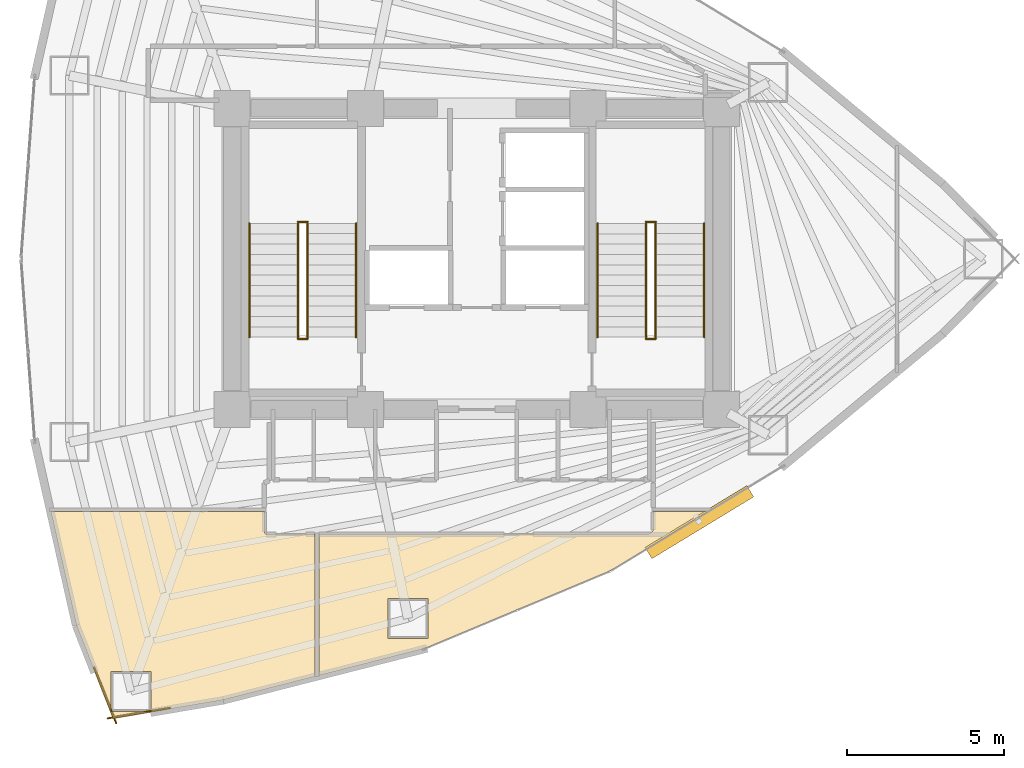
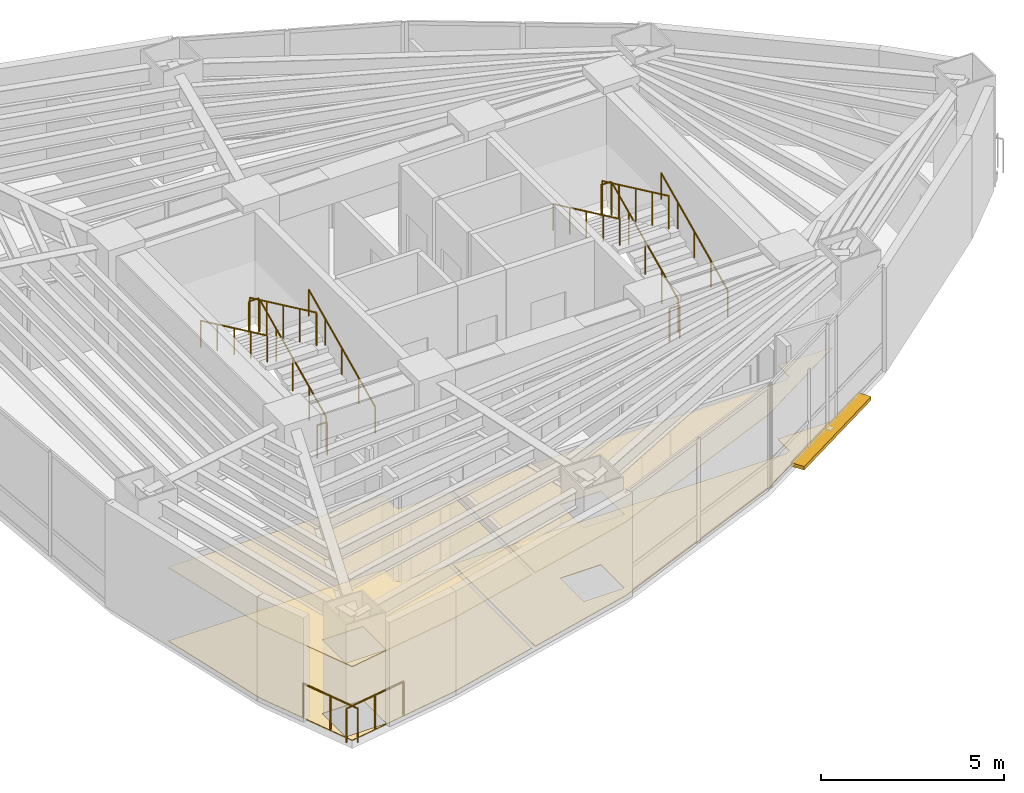
# One storey, part 17 of 18: 14 railings, 4 coverings, 1 shading device.
"""IFC4 building model written with IfcOpenShell, lengths in metres."""

from ifc_helpers import new_model, si_unit, direction, frame, origin, origin_2d, place, context, subcontext, project, spatial, polyline, rectangle, circle, outline, extrude, material, layer, layer_set, type_object, element, save


model = new_model("IFC4")

# Units and contexts
model_context = context("Model", 3, precision=1e-05, world=origin(), true_north=direction((0.0, 1.0)))
body_context = subcontext(model_context, "Body", "Model", "MODEL_VIEW")
ifc_project = project(units=[si_unit("LENGTHUNIT", "METRE"), si_unit("AREAUNIT", "SQUARE_METRE"), si_unit("VOLUMEUNIT", "CUBIC_METRE"), si_unit("PLANEANGLEUNIT", "RADIAN"), si_unit("MASSUNIT", "GRAM", prefix="KILO")], contexts=[model_context])

# Site, building, storey
site_placement = place(None, origin())
site = spatial("IfcSite", under=ifc_project, at=site_placement, CompositionType="ELEMENT")
building_placement = place(site_placement, origin())
building = spatial("IfcBuilding", under=site, at=building_placement, Name="Menara Vayukalpa", CompositionType="ELEMENT")
storey_placement = place(building_placement, frame((0.0, 0.0, 130.02001953125)))
storey = spatial("IfcBuildingStorey", under=building, at=storey_placement, Name="L32", CompositionType="ELEMENT", Elevation=130.02001953125)

# Coverings
ifc_material_1 = material(Name="Mineral Fibre Acoustic Ceiling Tile", Category="masonry")
ifc_layer_1 = layer(ifc_material_1, 0.02490234375)
ifc_layer_set_1 = layer_set([ifc_layer_1], Name="Mineral Fibre Acoustic Ceiling Tile")
covering_type_1 = type_object("IfcCoveringType", Name="COV-CLG1", PredefinedType="CEILING", material=ifc_layer_set_1)
covering_1_placement = place(storey_placement, frame((0.0, 0.0, 2.449951171875)))
element("IfcCovering", 1, at=covering_1_placement, inside=storey, type_object=covering_type_1, Name="L32 Technical Reference Library Acoustic Ceiling", PredefinedType="CEILING", context=body_context, shape_type="SweptSolid", body=[
    extrude(outline(polyline([(14.00830078125, 7.33642578125), (14.00732421875, 7.33642578125), (14.00634765625, 7.33642578125), (14.005615234375, 7.33642578125), (14.00439453125, 7.336669921875), (14.003662109375, 7.3369140625), (14.002685546875, 7.33740234375), (14.001708984375, 7.337646484375), (14.0009765625, 7.338134765625), (14.000244140625, 7.3388671875), (13.99951171875, 7.339599609375), (13.998779296875, 7.340087890625), (13.998291015625, 7.341064453125), (13.997802734375, 7.341796875), (13.997314453125, 7.3427734375), (12.831787109375, 10.310791015625), (12.83154296875, 10.3115234375), (12.831298828125, 10.312255859375), (12.017822265625, 13.927734375), (12.017578125, 13.9287109375), (12.017578125, 13.9296875), (12.017578125, 13.930908203125), (12.017822265625, 13.931884765625), (12.01806640625, 13.9326171875), (12.018310546875, 13.93359375), (12.018798828125, 13.9345703125), (12.019287109375, 13.935302734375), (12.019775390625, 13.936279296875), (12.0205078125, 13.93701171875), (12.021240234375, 13.937744140625), (12.02197265625, 13.938232421875), (12.022705078125, 13.938720703125), (12.023681640625, 13.939208984375), (12.024658203125, 13.939697265625), (12.025634765625, 13.939697265625), (12.026611328125, 13.93994140625), (12.027587890625, 13.93994140625), (18.820068359375, 13.93994140625), (18.821044921875, 13.93994140625), (18.822021484375, 13.939697265625), (18.822998046875, 13.939697265625), (18.82373046875, 13.939208984375), (18.82470703125, 13.938720703125), (18.82568359375, 13.938232421875), (18.826416015625, 13.937744140625), (18.8271484375, 13.93701171875), (18.82763671875, 13.936279296875), (18.828369140625, 13.935546875), (18.828857421875, 13.934814453125), (18.8291015625, 13.933837890625), (18.82958984375, 13.932861328125), (18.829833984375, 13.931884765625), (18.830078125, 13.930908203125), (18.830078125, 13.929931640625), (18.830078125, 13.290283203125), (18.830322265625, 13.283203125), (18.831298828125, 13.2763671875), (18.8330078125, 13.269775390625), (18.835205078125, 13.26318359375), (18.838134765625, 13.257080078125), (18.841796875, 13.251220703125), (18.845947265625, 13.24560546875), (18.8505859375, 13.240478515625), (18.85546875, 13.236083984375), (18.861083984375, 13.231689453125), (18.866943359375, 13.228271484375), (18.873291015625, 13.225341796875), (18.879638671875, 13.222900390625), (18.88623046875, 13.22119140625), (18.893310546875, 13.220458984375), (18.900390625, 13.219970703125), (20.429931640625, 13.219970703125), (20.430908203125, 13.219970703125), (20.431884765625, 13.2197265625), (20.432861328125, 13.219482421875), (20.433837890625, 13.21923828125), (20.434814453125, 13.21875), (20.435546875, 13.21826171875), (20.436279296875, 13.2177734375), (20.43701171875, 13.217041015625), (20.437744140625, 13.21630859375), (20.438232421875, 13.215576171875), (20.438720703125, 13.214599609375), (20.439208984375, 13.2138671875), (20.439697265625, 13.212890625), (20.439697265625, 13.2119140625), (20.43994140625, 13.2109375), (20.43994140625, 13.2099609375), (20.43994140625, 8.686279296875), (20.43994140625, 8.685302734375), (20.439697265625, 8.68408203125), (20.439453125, 8.68310546875), (20.439208984375, 8.68212890625), (20.438720703125, 8.681396484375), (20.438232421875, 8.680419921875), (20.4375, 8.6796875), (20.43701171875, 8.678955078125), (20.43603515625, 8.67822265625), (20.435302734375, 8.677734375), (20.434326171875, 8.67724609375), (20.433349609375, 8.6767578125), (20.4326171875, 8.676513671875), (17.5087890625, 7.930908203125), (17.5078125, 7.9306640625), (14.00830078125, 7.33642578125)]), holes=[polyline([(15.208984375, 8.842529296875), (13.92919921875, 8.842529296875), (13.92919921875, 7.5625), (15.208984375, 7.5625), (15.208984375, 8.842529296875)])]), origin(), (0.0, 0.0, 1.0), 0.025146484375),
])
covering_2_placement = place(storey_placement, frame((0.0, 0.0, 2.449951171875)))
element("IfcCovering", 2, at=covering_2_placement, inside=storey, type_object=covering_type_1, Name="L32 Technical Reference Library Acoustic Ceiling", PredefinedType="CEILING", context=body_context, shape_type="SweptSolid", body=[
    extrude(outline(polyline([(29.860595703125, 12.053466796875), (23.90478515625, 9.562255859375), (23.903564453125, 9.561767578125), (20.572509765625, 8.712158203125), (20.571533203125, 8.7119140625), (20.570556640625, 8.7119140625), (20.569580078125, 8.7119140625), (20.568603515625, 8.7119140625), (20.567626953125, 8.712158203125), (20.56689453125, 8.71240234375), (20.56591796875, 8.712890625), (20.565185546875, 8.713134765625), (20.564208984375, 8.713623046875), (20.5634765625, 8.71435546875), (20.562744140625, 8.715087890625), (20.562255859375, 8.7158203125), (20.5615234375, 8.716552734375), (20.56103515625, 8.71728515625), (20.560791015625, 8.71826171875), (20.560302734375, 8.718994140625), (20.560302734375, 8.719970703125), (20.56005859375, 8.720947265625), (20.56005859375, 8.721923828125), (20.56005859375, 13.2099609375), (20.56005859375, 13.2109375), (20.560302734375, 13.2119140625), (20.560302734375, 13.212890625), (20.560791015625, 13.2138671875), (20.561279296875, 13.214599609375), (20.561767578125, 13.215576171875), (20.562255859375, 13.21630859375), (20.56298828125, 13.217041015625), (20.563720703125, 13.2177734375), (20.564453125, 13.21826171875), (20.565185546875, 13.21875), (20.566162109375, 13.21923828125), (20.567138671875, 13.219482421875), (20.568115234375, 13.2197265625), (20.569091796875, 13.219970703125), (20.570068359375, 13.219970703125), (31.048828125, 13.219970703125), (31.055419921875, 13.22021484375), (31.0615234375, 13.22119140625), (31.06787109375, 13.22265625), (31.073974609375, 13.224609375), (31.079833984375, 13.22705078125), (31.085693359375, 13.230224609375), (31.186279296875, 13.29150390625), (31.192138671875, 13.295654296875), (31.19775390625, 13.30029296875), (31.202880859375, 13.305419921875), (31.207275390625, 13.31103515625), (31.2109375, 13.317138671875), (31.214111328125, 13.323486328125), (31.216796875, 13.330078125), (31.218505859375, 13.337158203125), (31.219482421875, 13.34423828125), (31.219970703125, 13.3515625), (31.219970703125, 13.929931640625), (31.219970703125, 13.930908203125), (31.22021484375, 13.931884765625), (31.220458984375, 13.932861328125), (31.220703125, 13.933837890625), (31.22119140625, 13.934814453125), (31.2216796875, 13.935546875), (31.222412109375, 13.936279296875), (31.222900390625, 13.93701171875), (31.2236328125, 13.937744140625), (31.224365234375, 13.938232421875), (31.225341796875, 13.938720703125), (31.226318359375, 13.939208984375), (31.22705078125, 13.939697265625), (31.22802734375, 13.939697265625), (31.22900390625, 13.93994140625), (31.22998046875, 13.93994140625), (32.9306640625, 13.93994140625), (32.931640625, 13.93994140625), (32.9326171875, 13.939697265625), (32.93359375, 13.939697265625), (32.9345703125, 13.939208984375), (32.935546875, 13.938720703125), (32.936279296875, 13.938232421875), (32.93701171875, 13.937744140625), (32.93798828125, 13.93701171875), (32.9384765625, 13.936279296875), (32.939208984375, 13.935302734375), (32.939697265625, 13.9345703125), (32.93994140625, 13.93359375), (32.940185546875, 13.9326171875), (32.940673828125, 13.931640625), (32.940673828125, 13.9306640625), (32.940673828125, 13.9296875), (32.940673828125, 13.9287109375), (32.9404296875, 13.927734375), (32.940185546875, 13.9267578125), (32.939697265625, 13.92578125), (32.939208984375, 13.925048828125), (32.938720703125, 13.924072265625), (32.938232421875, 13.92333984375), (32.9375, 13.922607421875), (32.936767578125, 13.922119140625), (32.935791015625, 13.92138671875), (29.862060546875, 12.05419921875), (29.861328125, 12.0537109375), (29.860595703125, 12.053466796875)]), holes=[polyline([(24.048095703125, 11.172607421875), (22.768310546875, 11.172607421875), (22.768310546875, 9.892578125), (24.048095703125, 9.892578125), (24.048095703125, 11.172607421875)])]), origin(), (0.0, 0.0, 1.0), 0.025146484375),
])
ifc_material_2 = material(Name="Porcelain Stoneware Floor Tile", Category="masonry")
ifc_layer_2 = layer(ifc_material_2, 0.02001953125)
ifc_layer_set_2 = layer_set([ifc_layer_2], Name="Porcelain Stoneware Floor Tile")
covering_type_2 = type_object("IfcCoveringType", Name="COV-FLR1", PredefinedType="FLOORING", material=ifc_layer_set_2)
covering_3_placement = place(storey_placement, origin())
element("IfcCovering", 3, at=covering_3_placement, inside=storey, type_object=covering_type_2, Name="L32 Technical Reference Library Porcelain Flooring", PredefinedType="FLOORING", context=body_context, shape_type="SweptSolid", body=[
    extrude(outline(polyline([(14.00830078125, 7.33642578125), (14.00732421875, 7.33642578125), (14.00634765625, 7.33642578125), (14.005615234375, 7.33642578125), (14.00439453125, 7.336669921875), (14.003662109375, 7.3369140625), (14.002685546875, 7.33740234375), (14.001708984375, 7.337646484375), (14.0009765625, 7.338134765625), (14.000244140625, 7.3388671875), (13.99951171875, 7.339599609375), (13.998779296875, 7.340087890625), (13.998291015625, 7.341064453125), (13.997802734375, 7.341796875), (13.997314453125, 7.3427734375), (12.831787109375, 10.310791015625), (12.83154296875, 10.3115234375), (12.831298828125, 10.312255859375), (12.017822265625, 13.927734375), (12.017578125, 13.9287109375), (12.017578125, 13.9296875), (12.017578125, 13.930908203125), (12.017822265625, 13.931884765625), (12.01806640625, 13.9326171875), (12.018310546875, 13.93359375), (12.018798828125, 13.9345703125), (12.019287109375, 13.935302734375), (12.019775390625, 13.936279296875), (12.0205078125, 13.93701171875), (12.021240234375, 13.937744140625), (12.02197265625, 13.938232421875), (12.022705078125, 13.938720703125), (12.023681640625, 13.939208984375), (12.024658203125, 13.939697265625), (12.025634765625, 13.939697265625), (12.026611328125, 13.93994140625), (12.027587890625, 13.93994140625), (18.820068359375, 13.93994140625), (18.821044921875, 13.93994140625), (18.822021484375, 13.939697265625), (18.822998046875, 13.939697265625), (18.82373046875, 13.939208984375), (18.82470703125, 13.938720703125), (18.82568359375, 13.938232421875), (18.826416015625, 13.937744140625), (18.8271484375, 13.93701171875), (18.82763671875, 13.936279296875), (18.828369140625, 13.935546875), (18.828857421875, 13.934814453125), (18.8291015625, 13.933837890625), (18.82958984375, 13.932861328125), (18.829833984375, 13.931884765625), (18.830078125, 13.930908203125), (18.830078125, 13.929931640625), (18.830078125, 13.290283203125), (18.830322265625, 13.283203125), (18.831298828125, 13.2763671875), (18.8330078125, 13.269775390625), (18.835205078125, 13.26318359375), (18.838134765625, 13.257080078125), (18.841796875, 13.251220703125), (18.845947265625, 13.24560546875), (18.8505859375, 13.240478515625), (18.85546875, 13.236083984375), (18.861083984375, 13.231689453125), (18.866943359375, 13.228271484375), (18.873291015625, 13.225341796875), (18.879638671875, 13.222900390625), (18.88623046875, 13.22119140625), (18.893310546875, 13.220458984375), (18.900390625, 13.219970703125), (20.429931640625, 13.219970703125), (20.430908203125, 13.219970703125), (20.431884765625, 13.2197265625), (20.432861328125, 13.219482421875), (20.433837890625, 13.21923828125), (20.434814453125, 13.21875), (20.435546875, 13.21826171875), (20.436279296875, 13.2177734375), (20.43701171875, 13.217041015625), (20.437744140625, 13.21630859375), (20.438232421875, 13.215576171875), (20.438720703125, 13.214599609375), (20.439208984375, 13.2138671875), (20.439697265625, 13.212890625), (20.439697265625, 13.2119140625), (20.43994140625, 13.2109375), (20.43994140625, 13.2099609375), (20.43994140625, 8.686279296875), (20.43994140625, 8.685302734375), (20.439697265625, 8.68408203125), (20.439453125, 8.68310546875), (20.439208984375, 8.68212890625), (20.438720703125, 8.681396484375), (20.438232421875, 8.680419921875), (20.4375, 8.6796875), (20.43701171875, 8.678955078125), (20.43603515625, 8.67822265625), (20.435302734375, 8.677734375), (20.434326171875, 8.67724609375), (20.433349609375, 8.6767578125), (20.4326171875, 8.676513671875), (17.5087890625, 7.930908203125), (17.5078125, 7.9306640625), (14.00830078125, 7.33642578125)]), holes=[polyline([(15.208984375, 8.842529296875), (13.92919921875, 8.842529296875), (13.92919921875, 7.5625), (15.208984375, 7.5625), (15.208984375, 8.842529296875)])]), origin(), (0.0, 0.0, 1.0), 0.02001953125),
])
covering_4_placement = place(storey_placement, origin())
element("IfcCovering", 4, at=covering_4_placement, inside=storey, type_object=covering_type_2, Name="L32 Technical Reference Library Porcelain Flooring", PredefinedType="FLOORING", context=body_context, shape_type="SweptSolid", body=[
    extrude(outline(polyline([(29.860595703125, 12.053466796875), (23.90478515625, 9.562255859375), (23.903564453125, 9.561767578125), (20.572509765625, 8.712158203125), (20.571533203125, 8.7119140625), (20.570556640625, 8.7119140625), (20.569580078125, 8.7119140625), (20.568603515625, 8.7119140625), (20.567626953125, 8.712158203125), (20.56689453125, 8.71240234375), (20.56591796875, 8.712890625), (20.565185546875, 8.713134765625), (20.564208984375, 8.713623046875), (20.5634765625, 8.71435546875), (20.562744140625, 8.715087890625), (20.562255859375, 8.7158203125), (20.5615234375, 8.716552734375), (20.56103515625, 8.71728515625), (20.560791015625, 8.71826171875), (20.560302734375, 8.718994140625), (20.560302734375, 8.719970703125), (20.56005859375, 8.720947265625), (20.56005859375, 8.721923828125), (20.56005859375, 13.2099609375), (20.56005859375, 13.2109375), (20.560302734375, 13.2119140625), (20.560302734375, 13.212890625), (20.560791015625, 13.2138671875), (20.561279296875, 13.214599609375), (20.561767578125, 13.215576171875), (20.562255859375, 13.21630859375), (20.56298828125, 13.217041015625), (20.563720703125, 13.2177734375), (20.564453125, 13.21826171875), (20.565185546875, 13.21875), (20.566162109375, 13.21923828125), (20.567138671875, 13.219482421875), (20.568115234375, 13.2197265625), (20.569091796875, 13.219970703125), (20.570068359375, 13.219970703125), (31.048828125, 13.219970703125), (31.055419921875, 13.22021484375), (31.0615234375, 13.22119140625), (31.06787109375, 13.22265625), (31.073974609375, 13.224609375), (31.079833984375, 13.22705078125), (31.085693359375, 13.230224609375), (31.186279296875, 13.29150390625), (31.192138671875, 13.295654296875), (31.19775390625, 13.30029296875), (31.202880859375, 13.305419921875), (31.207275390625, 13.31103515625), (31.2109375, 13.317138671875), (31.214111328125, 13.323486328125), (31.216796875, 13.330078125), (31.218505859375, 13.337158203125), (31.219482421875, 13.34423828125), (31.219970703125, 13.3515625), (31.219970703125, 13.929931640625), (31.219970703125, 13.930908203125), (31.22021484375, 13.931884765625), (31.220458984375, 13.932861328125), (31.220703125, 13.933837890625), (31.22119140625, 13.934814453125), (31.2216796875, 13.935546875), (31.222412109375, 13.936279296875), (31.222900390625, 13.93701171875), (31.2236328125, 13.937744140625), (31.224365234375, 13.938232421875), (31.225341796875, 13.938720703125), (31.226318359375, 13.939208984375), (31.22705078125, 13.939697265625), (31.22802734375, 13.939697265625), (31.22900390625, 13.93994140625), (31.22998046875, 13.93994140625), (32.9306640625, 13.93994140625), (32.931640625, 13.93994140625), (32.9326171875, 13.939697265625), (32.93359375, 13.939697265625), (32.9345703125, 13.939208984375), (32.935546875, 13.938720703125), (32.936279296875, 13.938232421875), (32.93701171875, 13.937744140625), (32.93798828125, 13.93701171875), (32.9384765625, 13.936279296875), (32.939208984375, 13.935302734375), (32.939697265625, 13.9345703125), (32.93994140625, 13.93359375), (32.940185546875, 13.9326171875), (32.940673828125, 13.931640625), (32.940673828125, 13.9306640625), (32.940673828125, 13.9296875), (32.940673828125, 13.9287109375), (32.9404296875, 13.927734375), (32.940185546875, 13.9267578125), (32.939697265625, 13.92578125), (32.939208984375, 13.925048828125), (32.938720703125, 13.924072265625), (32.938232421875, 13.92333984375), (32.9375, 13.922607421875), (32.936767578125, 13.922119140625), (32.935791015625, 13.92138671875), (29.862060546875, 12.05419921875), (29.861328125, 12.0537109375), (29.860595703125, 12.053466796875)]), holes=[polyline([(24.048095703125, 11.172607421875), (22.768310546875, 11.172607421875), (22.768310546875, 9.892578125), (24.048095703125, 9.892578125), (24.048095703125, 11.172607421875)])]), origin(), (0.0, 0.0, 1.0), 0.02001953125),
])

# Railings
ifc_material_3 = material(Name="Laminated Glass and Stainless Steel 316 Guardrail", Category="steel")
railing_type_1 = type_object("IfcRailingType", Name="RLG-EXT115", PredefinedType="GUARDRAIL", material=ifc_material_3)
railing_1_placement = place(storey_placement, frame((13.39990234375, 8.9736328125, 0.0)))
element("IfcRailing", 5, at=railing_1_placement, inside=storey, type_object=railing_type_1, Name="L32 Column Corner Spandrel Guardrail 13-1", PredefinedType="GUARDRAIL", context=body_context, shape_type="SweptSolid", body=[
    extrude(circle(Radius=0.02392578125, at=origin_2d()), frame((0.0, 0.0, 1.1259765625), z_axis=(0.365573386764, -0.930782519652, 0.0), x_axis=(0.930782519652, 0.365573386764, 0.0)), (0.0, 0.0, 1.0), 1.91259765625),
    extrude(circle(Radius=0.02099609375, at=origin_2d()), origin(), (0.0, 0.0, 1.0), 1.101806640625),
    extrude(circle(Radius=0.02099609375, at=origin_2d()), frame((0.349609375, -0.89013671875, 0.0)), (0.0, 0.0, 1.0), 1.101806640625),
    extrude(circle(Radius=0.02099609375, at=origin_2d()), frame((0.69921875, -1.7802734375, 0.0)), (0.0, 0.0, 1.0), 1.101806640625),
])
railing_2_placement = place(storey_placement, frame((13.827880859375, 7.346435546875, 0.0)))
element("IfcRailing", 6, at=railing_2_placement, inside=storey, type_object=railing_type_1, Name="L32 Column Corner Spandrel Guardrail 14-1", PredefinedType="GUARDRAIL", context=body_context, shape_type="SweptSolid", body=[
    extrude(circle(Radius=0.02392578125, at=origin_2d()), frame((0.0, 0.0, 1.1259765625), z_axis=(0.985895977605, 0.16735925831, 0.0), x_axis=(-0.16735925831, 0.985895977605, 0.0)), (0.0, 0.0, 1.0), 2.01904296875),
    extrude(circle(Radius=0.02099609375, at=origin_2d()), origin(), (0.0, 0.0, 1.0), 1.101806640625),
    extrude(circle(Radius=0.02099609375, at=origin_2d()), frame((0.9951171875, 0.1689453125, 0.0)), (0.0, 0.0, 1.0), 1.101806640625),
    extrude(circle(Radius=0.02099609375, at=origin_2d()), frame((1.990478515625, 0.337890625, 0.0)), (0.0, 0.0, 1.0), 1.101806640625),
])
ifc_material_4 = material(Name="Powder-Coated Galvanised Steel Guardrail", Category="steel")
railing_type_2 = type_object("IfcRailingType", Name="RLG-STG110", PredefinedType="GUARDRAIL", material=ifc_material_4)
railing_3_placement = place(storey_placement, frame((20.199951171875, 19.5, 0.155029296875)))
element("IfcRailing", 7, at=railing_3_placement, inside=storey, type_object=railing_type_2, Name="L32 ST-1 stair guard 1", PredefinedType="GUARDRAIL", context=body_context, shape_type="SweptSolid", body=[
    extrude(circle(Radius=0.02392578125, at=origin_2d()), frame((0.0, 0.0, 1.09619140625), z_axis=(0.0, 0.90513990983, 0.425113800803), x_axis=(-1.0, 0.0, 0.0)), (0.0, 0.0, 1.0), 4.01025390625),
    extrude(circle(Radius=0.02099609375, at=origin_2d()), origin(), (0.0, 0.0, 1.0), 1.072021484375),
    extrude(circle(Radius=0.02099609375, at=origin_2d()), frame((0.0, 0.907470703125, 0.42626953125)), (0.0, 0.0, 1.0), 1.072021484375),
    extrude(circle(Radius=0.02099609375, at=origin_2d()), frame((0.0, 1.81494140625, 0.8525390625)), (0.0, 0.0, 1.0), 1.072021484375),
    extrude(circle(Radius=0.02099609375, at=origin_2d()), frame((0.0, 2.722412109375, 1.278564453125)), (0.0, 0.0, 1.0), 1.072021484375),
    extrude(circle(Radius=0.02099609375, at=origin_2d()), frame((0.0, 3.6298828125, 1.704833984375)), (0.0, 0.0, 1.0), 1.072021484375),
])
railing_4_placement = place(storey_placement, frame((20.2099609375, 23.179931640625, 1.85986328125)))
element("IfcRailing", 8, at=railing_4_placement, inside=storey, type_object=railing_type_2, Name="L32 ST-1 stair guard 2", PredefinedType="GUARDRAIL", context=body_context, shape_type="SweptSolid", body=[
    extrude(circle(Radius=0.02392578125, at=origin_2d()), frame((0.0, 0.0, 1.09619140625), z_axis=(-1.0, 0.0, 0.0), x_axis=(0.0, -1.0, 0.0)), (0.0, 0.0, 1.0), 0.320068359375),
    extrude(circle(Radius=0.02099609375, at=origin_2d()), origin(), (0.0, 0.0, 1.0), 1.072021484375),
    extrude(circle(Radius=0.02099609375, at=origin_2d()), frame((-0.320068359375, 0.0, 0.0)), (0.0, 0.0, 1.0), 1.072021484375),
])
railing_5_placement = place(storey_placement, frame((19.89990234375, 23.1298828125, 2.014892578125)))
element("IfcRailing", 9, at=railing_5_placement, inside=storey, type_object=railing_type_2, Name="L32 ST-1 stair guard 3", PredefinedType="GUARDRAIL", context=body_context, shape_type="SweptSolid", body=[
    extrude(circle(Radius=0.02392578125, at=origin_2d()), frame((0.0, 0.0, 1.09619140625), z_axis=(0.0, -0.90511648382, 0.425163675209), x_axis=(1.0, 0.0, 0.0)), (0.0, 0.0, 1.0), 4.010498046875),
    extrude(circle(Radius=0.02099609375, at=origin_2d()), origin(), (0.0, 0.0, 1.0), 1.072021484375),
    extrude(circle(Radius=0.02099609375, at=origin_2d()), frame((0.0, -0.907470703125, 0.42626953125)), (0.0, 0.0, 1.0), 1.072021484375),
    extrude(circle(Radius=0.02099609375, at=origin_2d()), frame((0.0, -1.81494140625, 0.8525390625)), (0.0, 0.0, 1.0), 1.072021484375),
    extrude(circle(Radius=0.02099609375, at=origin_2d()), frame((0.0, -2.722412109375, 1.27880859375)), (0.0, 0.0, 1.0), 1.072021484375),
    extrude(circle(Radius=0.02099609375, at=origin_2d()), frame((0.0, -3.6298828125, 1.705078125)), (0.0, 0.0, 1.0), 1.072021484375),
])
railing_6_placement = place(storey_placement, frame((20.2099609375, 19.449951171875, 0.0)))
element("IfcRailing", 10, at=railing_6_placement, inside=storey, type_object=railing_type_2, Name="L32 ST-1 stair guard 4", PredefinedType="GUARDRAIL", context=body_context, shape_type="SweptSolid", body=[
    extrude(circle(Radius=0.02392578125, at=origin_2d()), frame((0.0, 0.0, 1.09619140625), z_axis=(-1.0, 0.0, 0.0), x_axis=(0.0, -1.0, 0.0)), (0.0, 0.0, 1.0), 0.320068359375),
    extrude(circle(Radius=0.02099609375, at=origin_2d()), origin(), (0.0, 0.0, 1.0), 1.072021484375),
    extrude(circle(Radius=0.02099609375, at=origin_2d()), frame((-0.320068359375, 0.0, 0.0)), (0.0, 0.0, 1.0), 1.072021484375),
])
railing_7_placement = place(storey_placement, frame((31.300048828125, 19.5, 0.155029296875)))
element("IfcRailing", 11, at=railing_7_placement, inside=storey, type_object=railing_type_2, Name="L32 ST-2 stair guard 1", PredefinedType="GUARDRAIL", context=body_context, shape_type="SweptSolid", body=[
    extrude(circle(Radius=0.02392578125, at=origin_2d()), frame((0.0, 0.0, 1.09619140625), z_axis=(0.0, 0.90513990983, 0.425113800803), x_axis=(-1.0, 0.0, 0.0)), (0.0, 0.0, 1.0), 4.01025390625),
    extrude(circle(Radius=0.02099609375, at=origin_2d()), origin(), (0.0, 0.0, 1.0), 1.072021484375),
    extrude(circle(Radius=0.02099609375, at=origin_2d()), frame((0.0, 0.907470703125, 0.42626953125)), (0.0, 0.0, 1.0), 1.072021484375),
    extrude(circle(Radius=0.02099609375, at=origin_2d()), frame((0.0, 1.81494140625, 0.8525390625)), (0.0, 0.0, 1.0), 1.072021484375),
    extrude(circle(Radius=0.02099609375, at=origin_2d()), frame((0.0, 2.722412109375, 1.278564453125)), (0.0, 0.0, 1.0), 1.072021484375),
    extrude(circle(Radius=0.02099609375, at=origin_2d()), frame((0.0, 3.6298828125, 1.704833984375)), (0.0, 0.0, 1.0), 1.072021484375),
])
railing_8_placement = place(storey_placement, frame((31.31005859375, 23.179931640625, 1.85986328125)))
element("IfcRailing", 12, at=railing_8_placement, inside=storey, type_object=railing_type_2, Name="L32 ST-2 stair guard 2", PredefinedType="GUARDRAIL", context=body_context, shape_type="SweptSolid", body=[
    extrude(circle(Radius=0.02392578125, at=origin_2d()), frame((0.0, 0.0, 1.09619140625), z_axis=(-1.0, 0.0, 0.0), x_axis=(0.0, -1.0, 0.0)), (0.0, 0.0, 1.0), 0.320068359375),
    extrude(circle(Radius=0.02099609375, at=origin_2d()), origin(), (0.0, 0.0, 1.0), 1.072021484375),
    extrude(circle(Radius=0.02099609375, at=origin_2d()), frame((-0.320068359375, 0.0, 0.0)), (0.0, 0.0, 1.0), 1.072021484375),
])
railing_9_placement = place(storey_placement, frame((31.0, 23.1298828125, 2.014892578125)))
element("IfcRailing", 13, at=railing_9_placement, inside=storey, type_object=railing_type_2, Name="L32 ST-2 stair guard 3", PredefinedType="GUARDRAIL", context=body_context, shape_type="SweptSolid", body=[
    extrude(circle(Radius=0.02392578125, at=origin_2d()), frame((0.0, 0.0, 1.09619140625), z_axis=(0.0, -0.90511648382, 0.425163675209), x_axis=(1.0, 0.0, 0.0)), (0.0, 0.0, 1.0), 4.010498046875),
    extrude(circle(Radius=0.02099609375, at=origin_2d()), origin(), (0.0, 0.0, 1.0), 1.072021484375),
    extrude(circle(Radius=0.02099609375, at=origin_2d()), frame((0.0, -0.907470703125, 0.42626953125)), (0.0, 0.0, 1.0), 1.072021484375),
    extrude(circle(Radius=0.02099609375, at=origin_2d()), frame((0.0, -1.81494140625, 0.8525390625)), (0.0, 0.0, 1.0), 1.072021484375),
    extrude(circle(Radius=0.02099609375, at=origin_2d()), frame((0.0, -2.722412109375, 1.27880859375)), (0.0, 0.0, 1.0), 1.072021484375),
    extrude(circle(Radius=0.02099609375, at=origin_2d()), frame((0.0, -3.6298828125, 1.705078125)), (0.0, 0.0, 1.0), 1.072021484375),
])
railing_10_placement = place(storey_placement, frame((31.31005859375, 19.449951171875, 0.0)))
element("IfcRailing", 14, at=railing_10_placement, inside=storey, type_object=railing_type_2, Name="L32 ST-2 stair guard 4", PredefinedType="GUARDRAIL", context=body_context, shape_type="SweptSolid", body=[
    extrude(circle(Radius=0.02392578125, at=origin_2d()), frame((0.0, 0.0, 1.09619140625), z_axis=(-1.0, 0.0, 0.0), x_axis=(0.0, -1.0, 0.0)), (0.0, 0.0, 1.0), 0.320068359375),
    extrude(circle(Radius=0.02099609375, at=origin_2d()), origin(), (0.0, 0.0, 1.0), 1.072021484375),
    extrude(circle(Radius=0.02099609375, at=origin_2d()), frame((-0.320068359375, 0.0, 0.0)), (0.0, 0.0, 1.0), 1.072021484375),
])
ifc_material_5 = material(Name="Stainless Steel 316 Tubular Handrail", Category="steel")
railing_type_3 = type_object("IfcRailingType", Name="RLG-STH090", PredefinedType="HANDRAIL", material=ifc_material_5)
railing_11_placement = place(storey_placement, frame((21.75, 19.5, 0.155029296875)))
element("IfcRailing", 15, at=railing_11_placement, inside=storey, type_object=railing_type_3, Name="L32 ST-1 stair handrail 1", PredefinedType="HANDRAIL", context=body_context, shape_type="SweptSolid", body=[
    extrude(circle(Radius=0.02392578125, at=origin_2d()), frame((0.0, 0.0, 0.8759765625), z_axis=(0.0, 0.90513990983, 0.425113800803), x_axis=(-1.0, 0.0, 0.0)), (0.0, 0.0, 1.0), 4.01025390625),
    extrude(circle(Radius=0.02099609375, at=origin_2d()), origin(), (0.0, 0.0, 1.0), 0.851806640625),
    extrude(circle(Radius=0.02099609375, at=origin_2d()), frame((0.0, 0.907470703125, 0.42626953125)), (0.0, 0.0, 1.0), 0.851806640625),
    extrude(circle(Radius=0.02099609375, at=origin_2d()), frame((0.0, 1.81494140625, 0.8525390625)), (0.0, 0.0, 1.0), 0.851806640625),
    extrude(circle(Radius=0.02099609375, at=origin_2d()), frame((0.0, 2.722412109375, 1.278564453125)), (0.0, 0.0, 1.0), 0.851806640625),
    extrude(circle(Radius=0.02099609375, at=origin_2d()), frame((0.0, 3.6298828125, 1.704833984375)), (0.0, 0.0, 1.0), 0.851806640625),
])
railing_12_placement = place(storey_placement, frame((18.35009765625, 23.1298828125, 2.014892578125)))
element("IfcRailing", 16, at=railing_12_placement, inside=storey, type_object=railing_type_3, Name="L32 ST-1 stair handrail 2", PredefinedType="HANDRAIL", context=body_context, shape_type="SweptSolid", body=[
    extrude(circle(Radius=0.02392578125, at=origin_2d()), frame((0.0, 0.0, 0.8759765625), z_axis=(0.0, -0.90511648382, 0.425163675209), x_axis=(1.0, 0.0, 0.0)), (0.0, 0.0, 1.0), 4.010498046875),
    extrude(circle(Radius=0.02099609375, at=origin_2d()), origin(), (0.0, 0.0, 1.0), 0.851806640625),
    extrude(circle(Radius=0.02099609375, at=origin_2d()), frame((0.0, -0.907470703125, 0.42626953125)), (0.0, 0.0, 1.0), 0.851806640625),
    extrude(circle(Radius=0.02099609375, at=origin_2d()), frame((0.0, -1.81494140625, 0.8525390625)), (0.0, 0.0, 1.0), 0.851806640625),
    extrude(circle(Radius=0.02099609375, at=origin_2d()), frame((0.0, -2.722412109375, 1.27880859375)), (0.0, 0.0, 1.0), 0.851806640625),
    extrude(circle(Radius=0.02099609375, at=origin_2d()), frame((0.0, -3.6298828125, 1.705078125)), (0.0, 0.0, 1.0), 0.851806640625),
])
railing_13_placement = place(storey_placement, frame((32.85009765625, 19.5, 0.155029296875)))
element("IfcRailing", 17, at=railing_13_placement, inside=storey, type_object=railing_type_3, Name="L32 ST-2 stair handrail 1", PredefinedType="HANDRAIL", context=body_context, shape_type="SweptSolid", body=[
    extrude(circle(Radius=0.02392578125, at=origin_2d()), frame((0.0, 0.0, 0.8759765625), z_axis=(0.0, 0.90513990983, 0.425113800803), x_axis=(-1.0, 0.0, 0.0)), (0.0, 0.0, 1.0), 4.01025390625),
    extrude(circle(Radius=0.02099609375, at=origin_2d()), origin(), (0.0, 0.0, 1.0), 0.851806640625),
    extrude(circle(Radius=0.02099609375, at=origin_2d()), frame((0.0, 0.907470703125, 0.42626953125)), (0.0, 0.0, 1.0), 0.851806640625),
    extrude(circle(Radius=0.02099609375, at=origin_2d()), frame((0.0, 1.81494140625, 0.8525390625)), (0.0, 0.0, 1.0), 0.851806640625),
    extrude(circle(Radius=0.02099609375, at=origin_2d()), frame((0.0, 2.722412109375, 1.278564453125)), (0.0, 0.0, 1.0), 0.851806640625),
    extrude(circle(Radius=0.02099609375, at=origin_2d()), frame((0.0, 3.6298828125, 1.704833984375)), (0.0, 0.0, 1.0), 0.851806640625),
])
railing_14_placement = place(storey_placement, frame((29.449951171875, 23.1298828125, 2.014892578125)))
element("IfcRailing", 18, at=railing_14_placement, inside=storey, type_object=railing_type_3, Name="L32 ST-2 stair handrail 2", PredefinedType="HANDRAIL", context=body_context, shape_type="SweptSolid", body=[
    extrude(circle(Radius=0.02392578125, at=origin_2d()), frame((0.0, 0.0, 0.8759765625), z_axis=(0.0, -0.90511648382, 0.425163675209), x_axis=(1.0, 0.0, 0.0)), (0.0, 0.0, 1.0), 4.010498046875),
    extrude(circle(Radius=0.02099609375, at=origin_2d()), origin(), (0.0, 0.0, 1.0), 0.851806640625),
    extrude(circle(Radius=0.02099609375, at=origin_2d()), frame((0.0, -0.907470703125, 0.42626953125)), (0.0, 0.0, 1.0), 0.851806640625),
    extrude(circle(Radius=0.02099609375, at=origin_2d()), frame((0.0, -1.81494140625, 0.8525390625)), (0.0, 0.0, 1.0), 0.851806640625),
    extrude(circle(Radius=0.02099609375, at=origin_2d()), frame((0.0, -2.722412109375, 1.27880859375)), (0.0, 0.0, 1.0), 0.851806640625),
    extrude(circle(Radius=0.02099609375, at=origin_2d()), frame((0.0, -3.6298828125, 1.705078125)), (0.0, 0.0, 1.0), 0.851806640625),
])

# Shading device
ifc_material_6 = material(Name="Glazed Terracotta Ceramic Baguette Extrusion", Category="masonry")
ifc_layer_3 = layer(ifc_material_6, 0.1201171875)
ifc_layer_set_3 = layer_set([ifc_layer_3], Name="Glazed Terracotta Ceramic Baguette Extrusion")
shading_device_type = type_object("IfcShadingDeviceType", Name="SHD-SS1", PredefinedType="USERDEFINED", material=ifc_layer_set_3)
shading_device_placement = place(storey_placement, frame((32.698486328125, 13.601806640625, -0.10009765625), z_axis=(0.0, 0.0, 1.0), x_axis=(0.85466730962, 0.519176068272, 0.0)))
element("IfcShadingDevice", 19, at=shading_device_placement, inside=storey, type_object=shading_device_type, Name="L32 Horizontal Terracotta Sunshade Band 17", ObjectType="SUNSHADE", PredefinedType="USERDEFINED", context=body_context, shape_type="SweptSolid", body=[
    extrude(rectangle(XDim=3.800048828125, YDim=0.419921875, at=origin_2d()), origin(), (0.0, 0.0, 1.0), 0.1201171875),
])

save(model, "model.ifc")
